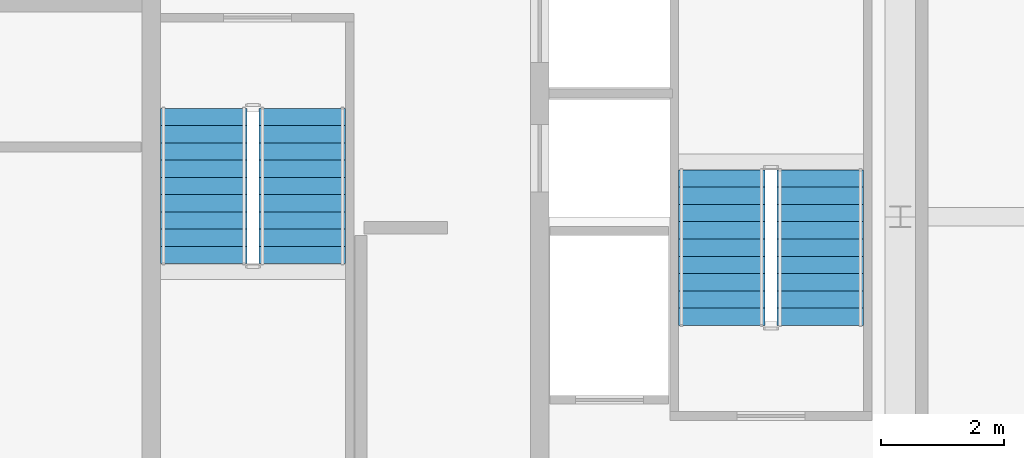
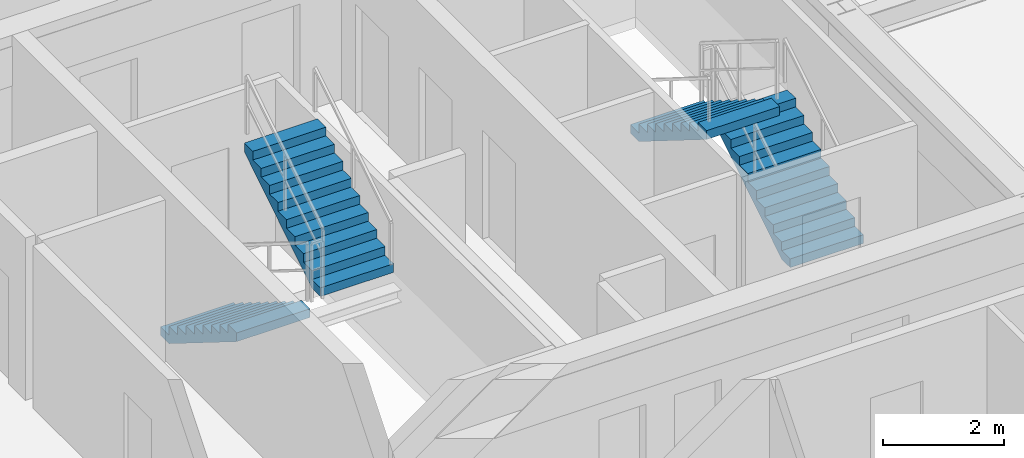
# One storey, part 32 of 33: 4 stair flights, 2 elements without a shape of their own.
"""IFC4 building model written with IfcOpenShell, lengths in metres."""

from ifc_helpers import new_model, si_unit, direction, frame, origin, place, context, subcontext, project, spatial, polyline, outline, extrude, source, transform, mapped, material, type_object, element, aggregate, save


model = new_model("IFC4")

# Units and contexts
model_context = context("Model", 3, precision=1e-05, world=origin(), true_north=direction((0.0, 1.0)))
body_context = subcontext(model_context, "Body", "Model", "MODEL_VIEW")
ifc_project = project(units=[si_unit("LENGTHUNIT", "METRE"), si_unit("AREAUNIT", "SQUARE_METRE"), si_unit("VOLUMEUNIT", "CUBIC_METRE"), si_unit("PLANEANGLEUNIT", "RADIAN"), si_unit("MASSUNIT", "GRAM", prefix="KILO"), si_unit("THERMODYNAMICTEMPERATUREUNIT", "KELVIN"), si_unit("POWERUNIT", "WATT")], contexts=[model_context])

# Site, building, storey
site_placement = place(None, origin())
site = spatial("IfcSite", under=ifc_project, at=site_placement, CompositionType="ELEMENT")
building_placement = place(site_placement, origin())
building = spatial("IfcBuilding", under=site, at=building_placement, Name="Yuzanri Waterfront Tower", CompositionType="ELEMENT")
storey_placement = place(building_placement, frame((0.0, 0.0, 321.699951171875)))
storey = spatial("IfcBuildingStorey", under=building, at=storey_placement, Name="L86", CompositionType="ELEMENT", Elevation=321.699951171875)

# Stair, stair flights
ifc_material_1 = material(Name="Concrete C40", Category="concrete")
stair_type = type_object("IfcStairType", Name="Concrete C40 Core Dogleg Exit Stair", PredefinedType="HALF_TURN_STAIR", material=ifc_material_1)
stair_1_placement = place(storey_placement, origin())
stair_1 = element("IfcStair", 1, at=stair_1_placement, inside=storey, type_object=stair_type, Name="L86 Smoke-Proof Core Stair ST-02", PredefinedType="HALF_TURN_STAIR")
ifc_material_2 = material(Name="Concrete C40", Category="concrete")
stair_flight_type = type_object("IfcStairFlightType", Name="Concrete C40 Precast Stair Flight 1380", PredefinedType="STRAIGHT", material=ifc_material_2)
shared_shape = source(origin(), body_context, "Body", "SweptSolid", [
    extrude(outline(polyline([(0.0, 0.0), (0.0, 0.175048828125), (0.280029296875, 0.175048828125), (0.280029296875, 0.35009765625), (0.56005859375, 0.35009765625), (0.56005859375, 0.52490234375), (0.840087890625, 0.52490234375), (0.840087890625, 0.699951171875), (1.1201171875, 0.699951171875), (1.1201171875, 0.875), (1.39990234375, 0.875), (1.39990234375, 1.050048828125), (1.679931640625, 1.050048828125), (1.679931640625, 1.22509765625), (1.9599609375, 1.22509765625), (1.9599609375, 1.39990234375), (2.239990234375, 1.39990234375), (2.239990234375, 1.574951171875), (2.52001953125, 1.574951171875), (2.52001953125, 1.75), (2.52001953125, 1.398193359375), (0.28271484375, 0.0), (0.0, 0.0)])), frame((0.0, 0.699951171875, 0.0), z_axis=(0.0, -1.0, 0.0), x_axis=(1.0, 0.0, 0.0)), (0.0, 0.0, 1.0), 1.39990234375),
])
stair_flight_1_placement = place(storey_placement, frame((48.89990234375, 24.0400390625, 0.0), z_axis=(0.0, 0.0, 1.0), x_axis=(0.0, 1.0, 0.0)))
stair_flight_1 = element("IfcStairFlight", 2, at=stair_flight_1_placement, type_object=stair_flight_type, Name="ST-02 flight 1", NumberOfRisers=10, NumberOfTreads=9, PredefinedType="STRAIGHT", RiserHeight=0.175, TreadLength=0.28, context=body_context, shape_type="MappedRepresentation", body=[
    mapped(shared_shape, transform((0.0, 0.0, 0.0), scale=1.0)),
])
stair_flight_2_placement = place(storey_placement, frame((47.300048828125, 26.56005859375, 1.75), z_axis=(0.0, 0.0, 1.0), x_axis=(0.0, -1.0, 0.0)))
stair_flight_2 = element("IfcStairFlight", 3, at=stair_flight_2_placement, type_object=stair_flight_type, Name="ST-02 flight 2", NumberOfRisers=10, NumberOfTreads=9, PredefinedType="STRAIGHT", RiserHeight=0.175, TreadLength=0.28, context=body_context, shape_type="MappedRepresentation", body=[
    mapped(shared_shape, transform((0.0, 0.0, 0.0), scale=1.0)),
])
aggregate(stair_1, [stair_flight_1, stair_flight_2])

stair_2_placement = place(storey_placement, origin())
stair_2 = element("IfcStair", 4, at=stair_2_placement, inside=storey, type_object=stair_type, Name="L86 Smoke-Proof Core Stair ST-03", PredefinedType="HALF_TURN_STAIR")
stair_flight_3_placement = place(storey_placement, frame((38.89990234375, 27.56005859375, 0.0), z_axis=(0.0, 0.0, 1.0), x_axis=(0.0, -1.0, 0.0)))
stair_flight_3 = element("IfcStairFlight", 5, at=stair_flight_3_placement, type_object=stair_flight_type, Name="ST-03 flight 1", NumberOfRisers=10, NumberOfTreads=9, PredefinedType="STRAIGHT", RiserHeight=0.175, TreadLength=0.28, context=body_context, shape_type="MappedRepresentation", body=[
    mapped(shared_shape, transform((0.0, 0.0, 0.0), scale=1.0)),
])
stair_flight_4_placement = place(storey_placement, frame((40.5, 25.0400390625, 1.75), z_axis=(0.0, 0.0, 1.0), x_axis=(0.0, 1.0, 0.0)))
stair_flight_4 = element("IfcStairFlight", 6, at=stair_flight_4_placement, type_object=stair_flight_type, Name="ST-03 flight 2", NumberOfRisers=10, NumberOfTreads=9, PredefinedType="STRAIGHT", RiserHeight=0.175, TreadLength=0.28, context=body_context, shape_type="MappedRepresentation", body=[
    mapped(shared_shape, transform((0.0, 0.0, 0.0), scale=1.0)),
])
aggregate(stair_2, [stair_flight_3, stair_flight_4])

save(model, "model.ifc")
